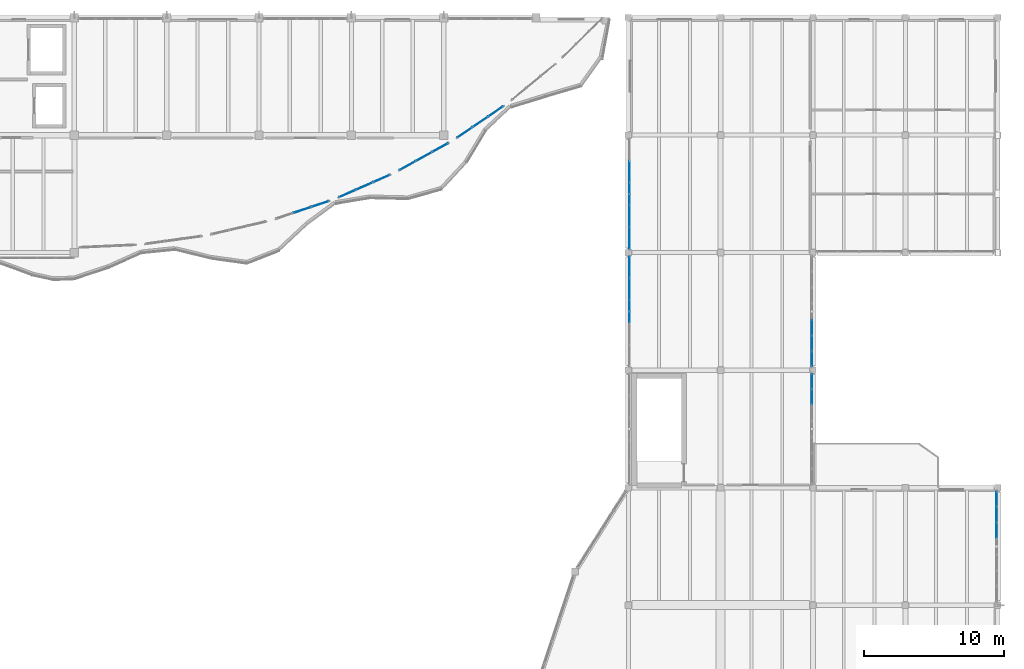
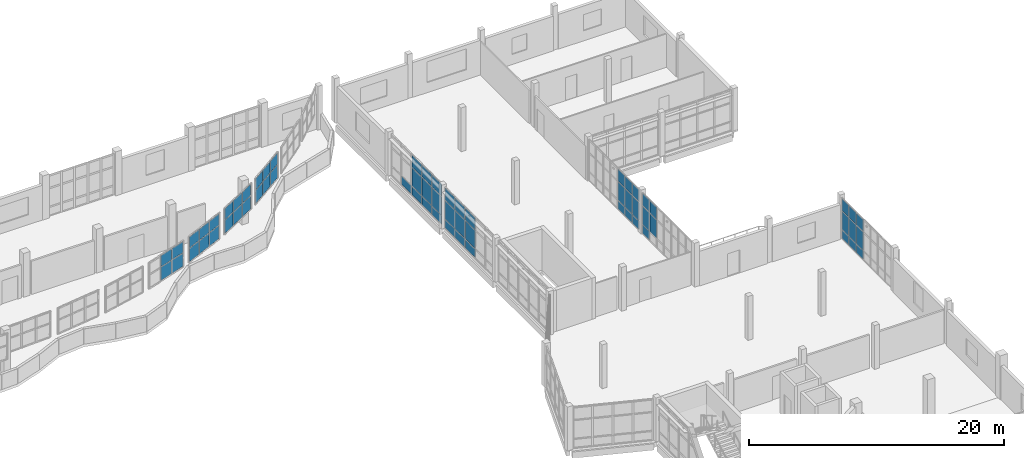
# One storey, part 41 of 74: 64 plates, 9 elements without a shape of their own.
"""IFC4 building model written with IfcOpenShell, lengths in metres."""

from ifc_helpers import new_model, si_unit, direction, frame, origin, origin_2d, place, context, subcontext, project, spatial, rectangle, extrude, material, layer, layer_set, type_object, element, aggregate, save


model = new_model("IFC4")

# Units and contexts
model_context = context("Model", 3, precision=1e-05, world=origin(), true_north=direction((0.0, 1.0)))
body_context = subcontext(model_context, "Body", "Model", "MODEL_VIEW")
ifc_project = project(units=[si_unit("LENGTHUNIT", "METRE"), si_unit("AREAUNIT", "SQUARE_METRE"), si_unit("VOLUMEUNIT", "CUBIC_METRE"), si_unit("PLANEANGLEUNIT", "RADIAN"), si_unit("MASSUNIT", "GRAM", prefix="KILO")], contexts=[model_context])

# Site, building, storey
site_placement = place(None, origin())
site = spatial("IfcSite", under=ifc_project, at=site_placement, CompositionType="ELEMENT")
building_placement = place(site_placement, origin())
building = spatial("IfcBuilding", under=site, at=building_placement, Name="Qaldarim Faculty of Natural and Applied Sciences", CompositionType="ELEMENT")
storey_placement = place(building_placement, frame((0.0, 0.0, 14.39990234375)))
storey = spatial("IfcBuildingStorey", under=building, at=storey_placement, Name="L03", CompositionType="ELEMENT", Elevation=14.39990234375)

# Curtain wall, plates
ifc_material_1 = material(Name="Anodised aluminium AW-6063", Category="aluminium")
curtain_wall_type_1 = type_object("IfcCurtainWallType", Name="CurtainWallSystem-M1200", PredefinedType="USERDEFINED", material=ifc_material_1)
curtain_wall_1_placement = place(storey_placement, origin())
curtain_wall_1 = element("IfcCurtainWall", 1, at=curtain_wall_1_placement, inside=storey, type_object=curtain_wall_type_1, Name="Curtain wall CW-L03-E-X25Y11", ObjectType="STICK CURTAIN WALL", PredefinedType="USERDEFINED")
ifc_material_2 = material(Name="Insulated low-e double glazing", Category="glass")
ifc_layer_1 = layer(ifc_material_2, 0.031982421875)
ifc_layer_set_1 = layer_set([ifc_layer_1], Name="Insulated low-e double glazing")
plate_type_1 = type_object("IfcPlateType", Name="SolarControlGlazingPanel-32", PredefinedType="CURTAIN_PANEL", material=ifc_layer_set_1)
plate_1_placement = place(storey_placement, frame((164.919921875, 90.474365234375, 0.93505859375), z_axis=(0.0, 0.0, 1.0), x_axis=(0.0, 1.0, 0.0)))
plate_1 = element("IfcPlate", 2, at=plate_1_placement, type_object=plate_type_1, Name="Glazed panel 6-2 of CW-L03-E-X25Y11", PredefinedType="CURTAIN_PANEL", context=body_context, shape_type="SweptSolid", body=[
    extrude(rectangle(XDim=1.067138671875, YDim=0.031982421875, at=origin_2d()), origin(), (0.0, 0.0, 1.0), 1.72998046875),
])
plate_2_placement = place(storey_placement, frame((164.919921875, 90.474365234375, 2.73486328125), z_axis=(0.0, 0.0, 1.0), x_axis=(0.0, 1.0, 0.0)))
plate_2 = element("IfcPlate", 3, at=plate_2_placement, type_object=plate_type_1, Name="Glazed panel 6-3 of CW-L03-E-X25Y11", PredefinedType="CURTAIN_PANEL", context=body_context, shape_type="SweptSolid", body=[
    extrude(rectangle(XDim=1.067138671875, YDim=0.031982421875, at=origin_2d()), origin(), (0.0, 0.0, 1.0), 1.135009765625),
])
plate_3_placement = place(storey_placement, frame((164.919921875, 91.593994140625, 0.070068359375), z_axis=(0.0, 0.0, 1.0), x_axis=(0.0, 1.0, 0.0)))
plate_3 = element("IfcPlate", 4, at=plate_3_placement, type_object=plate_type_1, Name="Glazed panel 7-1 of CW-L03-E-X25Y11", PredefinedType="CURTAIN_PANEL", context=body_context, shape_type="SweptSolid", body=[
    extrude(rectangle(XDim=1.031982421875, YDim=0.031982421875, at=origin_2d()), origin(), (0.0, 0.0, 1.0), 0.794921875),
])
plate_4_placement = place(storey_placement, frame((164.919921875, 91.593994140625, 0.93505859375), z_axis=(0.0, 0.0, 1.0), x_axis=(0.0, 1.0, 0.0)))
plate_4 = element("IfcPlate", 5, at=plate_4_placement, type_object=plate_type_1, Name="Glazed panel 7-2 of CW-L03-E-X25Y11", PredefinedType="CURTAIN_PANEL", context=body_context, shape_type="SweptSolid", body=[
    extrude(rectangle(XDim=1.031982421875, YDim=0.031982421875, at=origin_2d()), origin(), (0.0, 0.0, 1.0), 1.72998046875),
])
plate_5_placement = place(storey_placement, frame((164.919921875, 91.593994140625, 2.73486328125), z_axis=(0.0, 0.0, 1.0), x_axis=(0.0, 1.0, 0.0)))
plate_5 = element("IfcPlate", 6, at=plate_5_placement, type_object=plate_type_1, Name="Glazed panel 7-3 of CW-L03-E-X25Y11", PredefinedType="CURTAIN_PANEL", context=body_context, shape_type="SweptSolid", body=[
    extrude(rectangle(XDim=1.031982421875, YDim=0.031982421875, at=origin_2d()), origin(), (0.0, 0.0, 1.0), 1.135009765625),
])
aggregate(curtain_wall_1, [plate_1, plate_2, plate_3, plate_4, plate_5])

curtain_wall_2_placement = place(storey_placement, origin())
curtain_wall_2 = element("IfcCurtainWall", 7, at=curtain_wall_2_placement, inside=storey, type_object=curtain_wall_type_1, Name="Curtain wall CW-L03-E-X25Y12", ObjectType="STICK CURTAIN WALL", PredefinedType="USERDEFINED")
plate_6_placement = place(storey_placement, frame((164.919921875, 93.2060546875, 0.070068359375), z_axis=(0.0, 0.0, 1.0), x_axis=(0.0, 1.0, 0.0)))
plate_6 = element("IfcPlate", 8, at=plate_6_placement, type_object=plate_type_1, Name="Glazed panel 1-1 of CW-L03-E-X25Y12", PredefinedType="CURTAIN_PANEL", context=body_context, shape_type="SweptSolid", body=[
    extrude(rectangle(XDim=1.031982421875, YDim=0.031982421875, at=origin_2d()), origin(), (0.0, 0.0, 1.0), 0.794921875),
])
plate_7_placement = place(storey_placement, frame((164.919921875, 93.2060546875, 0.93505859375), z_axis=(0.0, 0.0, 1.0), x_axis=(0.0, 1.0, 0.0)))
plate_7 = element("IfcPlate", 9, at=plate_7_placement, type_object=plate_type_1, Name="Glazed panel 1-2 of CW-L03-E-X25Y12", PredefinedType="CURTAIN_PANEL", context=body_context, shape_type="SweptSolid", body=[
    extrude(rectangle(XDim=1.031982421875, YDim=0.031982421875, at=origin_2d()), origin(), (0.0, 0.0, 1.0), 1.72998046875),
])
plate_8_placement = place(storey_placement, frame((164.919921875, 93.2060546875, 2.73486328125), z_axis=(0.0, 0.0, 1.0), x_axis=(0.0, 1.0, 0.0)))
plate_8 = element("IfcPlate", 10, at=plate_8_placement, type_object=plate_type_1, Name="Glazed panel 1-3 of CW-L03-E-X25Y12", PredefinedType="CURTAIN_PANEL", context=body_context, shape_type="SweptSolid", body=[
    extrude(rectangle(XDim=1.031982421875, YDim=0.031982421875, at=origin_2d()), origin(), (0.0, 0.0, 1.0), 1.135009765625),
])
plate_9_placement = place(storey_placement, frame((164.919921875, 94.32568359375, 0.070068359375), z_axis=(0.0, 0.0, 1.0), x_axis=(0.0, 1.0, 0.0)))
plate_9 = element("IfcPlate", 11, at=plate_9_placement, type_object=plate_type_1, Name="Glazed panel 2-1 of CW-L03-E-X25Y12", PredefinedType="CURTAIN_PANEL", context=body_context, shape_type="SweptSolid", body=[
    extrude(rectangle(XDim=1.067138671875, YDim=0.031982421875, at=origin_2d()), origin(), (0.0, 0.0, 1.0), 0.794921875),
])
plate_10_placement = place(storey_placement, frame((164.919921875, 94.32568359375, 0.93505859375), z_axis=(0.0, 0.0, 1.0), x_axis=(0.0, 1.0, 0.0)))
plate_10 = element("IfcPlate", 12, at=plate_10_placement, type_object=plate_type_1, Name="Glazed panel 2-2 of CW-L03-E-X25Y12", PredefinedType="CURTAIN_PANEL", context=body_context, shape_type="SweptSolid", body=[
    extrude(rectangle(XDim=1.067138671875, YDim=0.031982421875, at=origin_2d()), origin(), (0.0, 0.0, 1.0), 1.72998046875),
])
plate_11_placement = place(storey_placement, frame((164.919921875, 94.32568359375, 2.73486328125), z_axis=(0.0, 0.0, 1.0), x_axis=(0.0, 1.0, 0.0)))
plate_11 = element("IfcPlate", 13, at=plate_11_placement, type_object=plate_type_1, Name="Glazed panel 2-3 of CW-L03-E-X25Y12", PredefinedType="CURTAIN_PANEL", context=body_context, shape_type="SweptSolid", body=[
    extrude(rectangle(XDim=1.067138671875, YDim=0.031982421875, at=origin_2d()), origin(), (0.0, 0.0, 1.0), 1.135009765625),
])
plate_12_placement = place(storey_placement, frame((164.919921875, 95.462890625, 0.070068359375), z_axis=(0.0, 0.0, 1.0), x_axis=(0.0, 1.0, 0.0)))
plate_12 = element("IfcPlate", 14, at=plate_12_placement, type_object=plate_type_1, Name="Glazed panel 3-1 of CW-L03-E-X25Y12", PredefinedType="CURTAIN_PANEL", context=body_context, shape_type="SweptSolid", body=[
    extrude(rectangle(XDim=1.067138671875, YDim=0.031982421875, at=origin_2d()), origin(), (0.0, 0.0, 1.0), 0.794921875),
])
plate_13_placement = place(storey_placement, frame((164.919921875, 95.462890625, 0.93505859375), z_axis=(0.0, 0.0, 1.0), x_axis=(0.0, 1.0, 0.0)))
plate_13 = element("IfcPlate", 15, at=plate_13_placement, type_object=plate_type_1, Name="Glazed panel 3-2 of CW-L03-E-X25Y12", PredefinedType="CURTAIN_PANEL", context=body_context, shape_type="SweptSolid", body=[
    extrude(rectangle(XDim=1.067138671875, YDim=0.031982421875, at=origin_2d()), origin(), (0.0, 0.0, 1.0), 1.72998046875),
])
plate_14_placement = place(storey_placement, frame((164.919921875, 95.462890625, 2.73486328125), z_axis=(0.0, 0.0, 1.0), x_axis=(0.0, 1.0, 0.0)))
plate_14 = element("IfcPlate", 16, at=plate_14_placement, type_object=plate_type_1, Name="Glazed panel 3-3 of CW-L03-E-X25Y12", PredefinedType="CURTAIN_PANEL", context=body_context, shape_type="SweptSolid", body=[
    extrude(rectangle(XDim=1.067138671875, YDim=0.031982421875, at=origin_2d()), origin(), (0.0, 0.0, 1.0), 1.135009765625),
])
aggregate(curtain_wall_2, [plate_6, plate_7, plate_8, plate_9, plate_10, plate_11, plate_12, plate_13, plate_14])

curtain_wall_3_placement = place(storey_placement, origin())
curtain_wall_3 = element("IfcCurtainWall", 17, at=curtain_wall_3_placement, inside=storey, type_object=curtain_wall_type_1, Name="Curtain wall CW-L03-E-X27Y10", ObjectType="STICK CURTAIN WALL", PredefinedType="USERDEFINED")
plate_15_placement = place(storey_placement, frame((178.1201171875, 80.93701171875, 0.070068359375), z_axis=(0.0, 0.0, 1.0), x_axis=(0.0, 1.0, 0.0)))
plate_15 = element("IfcPlate", 18, at=plate_15_placement, type_object=plate_type_1, Name="Glazed panel 5-1 of CW-L03-E-X27Y10", PredefinedType="CURTAIN_PANEL", context=body_context, shape_type="SweptSolid", body=[
    extrude(rectangle(XDim=1.067138671875, YDim=0.031982421875, at=origin_2d()), origin(), (0.0, 0.0, 1.0), 0.794921875),
])
plate_16_placement = place(storey_placement, frame((178.1201171875, 80.93701171875, 0.93505859375), z_axis=(0.0, 0.0, 1.0), x_axis=(0.0, 1.0, 0.0)))
plate_16 = element("IfcPlate", 19, at=plate_16_placement, type_object=plate_type_1, Name="Glazed panel 5-2 of CW-L03-E-X27Y10", PredefinedType="CURTAIN_PANEL", context=body_context, shape_type="SweptSolid", body=[
    extrude(rectangle(XDim=1.067138671875, YDim=0.031982421875, at=origin_2d()), origin(), (0.0, 0.0, 1.0), 1.72998046875),
])
plate_17_placement = place(storey_placement, frame((178.1201171875, 80.93701171875, 2.73486328125), z_axis=(0.0, 0.0, 1.0), x_axis=(0.0, 1.0, 0.0)))
plate_17 = element("IfcPlate", 20, at=plate_17_placement, type_object=plate_type_1, Name="Glazed panel 5-3 of CW-L03-E-X27Y10", PredefinedType="CURTAIN_PANEL", context=body_context, shape_type="SweptSolid", body=[
    extrude(rectangle(XDim=1.067138671875, YDim=0.031982421875, at=origin_2d()), origin(), (0.0, 0.0, 1.0), 1.135009765625),
])
plate_18_placement = place(storey_placement, frame((178.1201171875, 82.07421875, 0.070068359375), z_axis=(0.0, 0.0, 1.0), x_axis=(0.0, 1.0, 0.0)))
plate_18 = element("IfcPlate", 21, at=plate_18_placement, type_object=plate_type_1, Name="Glazed panel 6-1 of CW-L03-E-X27Y10", PredefinedType="CURTAIN_PANEL", context=body_context, shape_type="SweptSolid", body=[
    extrude(rectangle(XDim=1.067138671875, YDim=0.031982421875, at=origin_2d()), origin(), (0.0, 0.0, 1.0), 0.794921875),
])
plate_19_placement = place(storey_placement, frame((178.1201171875, 82.07421875, 0.93505859375), z_axis=(0.0, 0.0, 1.0), x_axis=(0.0, 1.0, 0.0)))
plate_19 = element("IfcPlate", 22, at=plate_19_placement, type_object=plate_type_1, Name="Glazed panel 6-2 of CW-L03-E-X27Y10", PredefinedType="CURTAIN_PANEL", context=body_context, shape_type="SweptSolid", body=[
    extrude(rectangle(XDim=1.067138671875, YDim=0.031982421875, at=origin_2d()), origin(), (0.0, 0.0, 1.0), 1.72998046875),
])
plate_20_placement = place(storey_placement, frame((178.1201171875, 82.07421875, 2.73486328125), z_axis=(0.0, 0.0, 1.0), x_axis=(0.0, 1.0, 0.0)))
plate_20 = element("IfcPlate", 23, at=plate_20_placement, type_object=plate_type_1, Name="Glazed panel 6-3 of CW-L03-E-X27Y10", PredefinedType="CURTAIN_PANEL", context=body_context, shape_type="SweptSolid", body=[
    extrude(rectangle(XDim=1.067138671875, YDim=0.031982421875, at=origin_2d()), origin(), (0.0, 0.0, 1.0), 1.135009765625),
])
plate_21_placement = place(storey_placement, frame((178.1201171875, 83.19384765625, 0.070068359375), z_axis=(0.0, 0.0, 1.0), x_axis=(0.0, 1.0, 0.0)))
plate_21 = element("IfcPlate", 24, at=plate_21_placement, type_object=plate_type_1, Name="Glazed panel 7-1 of CW-L03-E-X27Y10", PredefinedType="CURTAIN_PANEL", context=body_context, shape_type="SweptSolid", body=[
    extrude(rectangle(XDim=1.031982421875, YDim=0.031982421875, at=origin_2d()), origin(), (0.0, 0.0, 1.0), 0.794921875),
])
plate_22_placement = place(storey_placement, frame((178.1201171875, 83.19384765625, 0.93505859375), z_axis=(0.0, 0.0, 1.0), x_axis=(0.0, 1.0, 0.0)))
plate_22 = element("IfcPlate", 25, at=plate_22_placement, type_object=plate_type_1, Name="Glazed panel 7-2 of CW-L03-E-X27Y10", PredefinedType="CURTAIN_PANEL", context=body_context, shape_type="SweptSolid", body=[
    extrude(rectangle(XDim=1.031982421875, YDim=0.031982421875, at=origin_2d()), origin(), (0.0, 0.0, 1.0), 1.72998046875),
])
plate_23_placement = place(storey_placement, frame((178.1201171875, 83.19384765625, 2.73486328125), z_axis=(0.0, 0.0, 1.0), x_axis=(0.0, 1.0, 0.0)))
plate_23 = element("IfcPlate", 26, at=plate_23_placement, type_object=plate_type_1, Name="Glazed panel 7-3 of CW-L03-E-X27Y10", PredefinedType="CURTAIN_PANEL", context=body_context, shape_type="SweptSolid", body=[
    extrude(rectangle(XDim=1.031982421875, YDim=0.031982421875, at=origin_2d()), origin(), (0.0, 0.0, 1.0), 1.135009765625),
])
aggregate(curtain_wall_3, [plate_15, plate_16, plate_17, plate_18, plate_19, plate_20, plate_21, plate_22, plate_23])

curtain_wall_type_2 = type_object("IfcCurtainWallType", Name="CurtainWallSystem-M1600", PredefinedType="USERDEFINED", material=ifc_material_1)
curtain_wall_4_placement = place(storey_placement, origin())
curtain_wall_4 = element("IfcCurtainWall", 27, at=curtain_wall_4_placement, inside=storey, type_object=curtain_wall_type_2, Name="Curtain wall CW-L03-W-X24Y12", ObjectType="UNITISED FACADE", PredefinedType="USERDEFINED")
ifc_layer_2 = layer(ifc_material_2, 0.028076171875)
ifc_layer_set_2 = layer_set([ifc_layer_2], Name="Insulated low-e double glazing")
plate_type_2 = type_object("IfcPlateType", Name="VisionGlazingPanel-28", PredefinedType="CURTAIN_PANEL", material=ifc_layer_set_2)
plate_24_placement = place(storey_placement, frame((151.8798828125, 99.76904296875, 0.06005859375), z_axis=(0.0, 0.0, 1.0), x_axis=(0.0, -1.0, 0.0)))
plate_24 = element("IfcPlate", 28, at=plate_24_placement, type_object=plate_type_2, Name="Glazed panel 1-1 of CW-L03-W-X24Y12", PredefinedType="CURTAIN_PANEL", context=body_context, shape_type="SweptSolid", body=[
    extrude(rectangle(XDim=1.501953125, YDim=0.028076171875, at=origin_2d()), origin(), (0.0, 0.0, 1.0), 0.81005859375),
])
plate_25_placement = place(storey_placement, frame((151.8798828125, 99.76904296875, 0.93017578125), z_axis=(0.0, 0.0, 1.0), x_axis=(0.0, -1.0, 0.0)))
plate_25 = element("IfcPlate", 29, at=plate_25_placement, type_object=plate_type_2, Name="Glazed panel 1-2 of CW-L03-W-X24Y12", PredefinedType="CURTAIN_PANEL", context=body_context, shape_type="SweptSolid", body=[
    extrude(rectangle(XDim=1.501953125, YDim=0.028076171875, at=origin_2d()), origin(), (0.0, 0.0, 1.0), 1.739990234375),
])
plate_26_placement = place(storey_placement, frame((151.8798828125, 99.76904296875, 2.730224609375), z_axis=(0.0, 0.0, 1.0), x_axis=(0.0, -1.0, 0.0)))
plate_26 = element("IfcPlate", 30, at=plate_26_placement, type_object=plate_type_2, Name="Glazed panel 1-3 of CW-L03-W-X24Y12", PredefinedType="CURTAIN_PANEL", context=body_context, shape_type="SweptSolid", body=[
    extrude(rectangle(XDim=1.501953125, YDim=0.028076171875, at=origin_2d()), origin(), (0.0, 0.0, 1.0), 1.14990234375),
])
plate_27_placement = place(storey_placement, frame((151.8798828125, 98.19189453125, 0.06005859375), z_axis=(0.0, 0.0, 1.0), x_axis=(0.0, -1.0, 0.0)))
plate_27 = element("IfcPlate", 31, at=plate_27_placement, type_object=plate_type_2, Name="Glazed panel 2-1 of CW-L03-W-X24Y12", PredefinedType="CURTAIN_PANEL", context=body_context, shape_type="SweptSolid", body=[
    extrude(rectangle(XDim=1.531982421875, YDim=0.028076171875, at=origin_2d()), origin(), (0.0, 0.0, 1.0), 0.81005859375),
])
plate_28_placement = place(storey_placement, frame((151.8798828125, 98.19189453125, 0.93017578125), z_axis=(0.0, 0.0, 1.0), x_axis=(0.0, -1.0, 0.0)))
plate_28 = element("IfcPlate", 32, at=plate_28_placement, type_object=plate_type_2, Name="Glazed panel 2-2 of CW-L03-W-X24Y12", PredefinedType="CURTAIN_PANEL", context=body_context, shape_type="SweptSolid", body=[
    extrude(rectangle(XDim=1.531982421875, YDim=0.028076171875, at=origin_2d()), origin(), (0.0, 0.0, 1.0), 1.739990234375),
])
plate_29_placement = place(storey_placement, frame((151.8798828125, 98.19189453125, 2.730224609375), z_axis=(0.0, 0.0, 1.0), x_axis=(0.0, -1.0, 0.0)))
plate_29 = element("IfcPlate", 33, at=plate_29_placement, type_object=plate_type_2, Name="Glazed panel 2-3 of CW-L03-W-X24Y12", PredefinedType="CURTAIN_PANEL", context=body_context, shape_type="SweptSolid", body=[
    extrude(rectangle(XDim=1.531982421875, YDim=0.028076171875, at=origin_2d()), origin(), (0.0, 0.0, 1.0), 1.14990234375),
])
plate_30_placement = place(storey_placement, frame((151.8798828125, 96.60009765625, 0.06005859375), z_axis=(0.0, 0.0, 1.0), x_axis=(0.0, -1.0, 0.0)))
plate_30 = element("IfcPlate", 34, at=plate_30_placement, type_object=plate_type_2, Name="Glazed panel 3-1 of CW-L03-W-X24Y12", PredefinedType="CURTAIN_PANEL", context=body_context, shape_type="SweptSolid", body=[
    extrude(rectangle(XDim=1.531982421875, YDim=0.028076171875, at=origin_2d()), origin(), (0.0, 0.0, 1.0), 0.81005859375),
])
plate_31_placement = place(storey_placement, frame((151.8798828125, 96.60009765625, 0.93017578125), z_axis=(0.0, 0.0, 1.0), x_axis=(0.0, -1.0, 0.0)))
plate_31 = element("IfcPlate", 35, at=plate_31_placement, type_object=plate_type_2, Name="Glazed panel 3-2 of CW-L03-W-X24Y12", PredefinedType="CURTAIN_PANEL", context=body_context, shape_type="SweptSolid", body=[
    extrude(rectangle(XDim=1.531982421875, YDim=0.028076171875, at=origin_2d()), origin(), (0.0, 0.0, 1.0), 1.739990234375),
])
plate_32_placement = place(storey_placement, frame((151.8798828125, 96.60009765625, 2.730224609375), z_axis=(0.0, 0.0, 1.0), x_axis=(0.0, -1.0, 0.0)))
plate_32 = element("IfcPlate", 36, at=plate_32_placement, type_object=plate_type_2, Name="Glazed panel 3-3 of CW-L03-W-X24Y12", PredefinedType="CURTAIN_PANEL", context=body_context, shape_type="SweptSolid", body=[
    extrude(rectangle(XDim=1.531982421875, YDim=0.028076171875, at=origin_2d()), origin(), (0.0, 0.0, 1.0), 1.14990234375),
])
aggregate(curtain_wall_4, [plate_24, plate_25, plate_26, plate_27, plate_28, plate_29, plate_30, plate_31, plate_32])

curtain_wall_5_placement = place(storey_placement, origin())
curtain_wall_5 = element("IfcCurtainWall", 37, at=curtain_wall_5_placement, inside=storey, type_object=curtain_wall_type_2, Name="Curtain wall CW-L03-W-X24Y13", ObjectType="UNITISED FACADE", PredefinedType="USERDEFINED")
plate_33_placement = place(storey_placement, frame((151.8798828125, 106.592041015625, 0.06005859375), z_axis=(0.0, 0.0, 1.0), x_axis=(0.0, -1.0, 0.0)))
plate_33 = element("IfcPlate", 38, at=plate_33_placement, type_object=plate_type_2, Name="Glazed panel 2-1 of CW-L03-W-X24Y13", PredefinedType="CURTAIN_PANEL", context=body_context, shape_type="SweptSolid", body=[
    extrude(rectangle(XDim=1.531982421875, YDim=0.028076171875, at=origin_2d()), origin(), (0.0, 0.0, 1.0), 0.81005859375),
])
plate_34_placement = place(storey_placement, frame((151.8798828125, 105.0, 0.06005859375), z_axis=(0.0, 0.0, 1.0), x_axis=(0.0, -1.0, 0.0)))
plate_34 = element("IfcPlate", 39, at=plate_34_placement, type_object=plate_type_2, Name="Glazed panel 3-1 of CW-L03-W-X24Y13", PredefinedType="CURTAIN_PANEL", context=body_context, shape_type="SweptSolid", body=[
    extrude(rectangle(XDim=1.531982421875, YDim=0.028076171875, at=origin_2d()), origin(), (0.0, 0.0, 1.0), 0.81005859375),
])
plate_35_placement = place(storey_placement, frame((151.8798828125, 105.0, 0.93017578125), z_axis=(0.0, 0.0, 1.0), x_axis=(0.0, -1.0, 0.0)))
plate_35 = element("IfcPlate", 40, at=plate_35_placement, type_object=plate_type_2, Name="Glazed panel 3-2 of CW-L03-W-X24Y13", PredefinedType="CURTAIN_PANEL", context=body_context, shape_type="SweptSolid", body=[
    extrude(rectangle(XDim=1.531982421875, YDim=0.028076171875, at=origin_2d()), origin(), (0.0, 0.0, 1.0), 1.739990234375),
])
plate_36_placement = place(storey_placement, frame((151.8798828125, 105.0, 2.730224609375), z_axis=(0.0, 0.0, 1.0), x_axis=(0.0, -1.0, 0.0)))
plate_36 = element("IfcPlate", 41, at=plate_36_placement, type_object=plate_type_2, Name="Glazed panel 3-3 of CW-L03-W-X24Y13", PredefinedType="CURTAIN_PANEL", context=body_context, shape_type="SweptSolid", body=[
    extrude(rectangle(XDim=1.531982421875, YDim=0.028076171875, at=origin_2d()), origin(), (0.0, 0.0, 1.0), 1.14990234375),
])
plate_37_placement = place(storey_placement, frame((151.8798828125, 103.407958984375, 0.06005859375), z_axis=(0.0, 0.0, 1.0), x_axis=(0.0, -1.0, 0.0)))
plate_37 = element("IfcPlate", 42, at=plate_37_placement, type_object=plate_type_2, Name="Glazed panel 4-1 of CW-L03-W-X24Y13", PredefinedType="CURTAIN_PANEL", context=body_context, shape_type="SweptSolid", body=[
    extrude(rectangle(XDim=1.531982421875, YDim=0.028076171875, at=origin_2d()), origin(), (0.0, 0.0, 1.0), 0.81005859375),
])
plate_38_placement = place(storey_placement, frame((151.8798828125, 103.407958984375, 0.93017578125), z_axis=(0.0, 0.0, 1.0), x_axis=(0.0, -1.0, 0.0)))
plate_38 = element("IfcPlate", 43, at=plate_38_placement, type_object=plate_type_2, Name="Glazed panel 4-2 of CW-L03-W-X24Y13", PredefinedType="CURTAIN_PANEL", context=body_context, shape_type="SweptSolid", body=[
    extrude(rectangle(XDim=1.531982421875, YDim=0.028076171875, at=origin_2d()), origin(), (0.0, 0.0, 1.0), 1.739990234375),
])
plate_39_placement = place(storey_placement, frame((151.8798828125, 103.407958984375, 2.730224609375), z_axis=(0.0, 0.0, 1.0), x_axis=(0.0, -1.0, 0.0)))
plate_39 = element("IfcPlate", 44, at=plate_39_placement, type_object=plate_type_2, Name="Glazed panel 4-3 of CW-L03-W-X24Y13", PredefinedType="CURTAIN_PANEL", context=body_context, shape_type="SweptSolid", body=[
    extrude(rectangle(XDim=1.531982421875, YDim=0.028076171875, at=origin_2d()), origin(), (0.0, 0.0, 1.0), 1.14990234375),
])
plate_40_placement = place(storey_placement, frame((151.8798828125, 101.8310546875, 0.06005859375), z_axis=(0.0, 0.0, 1.0), x_axis=(0.0, -1.0, 0.0)))
plate_40 = element("IfcPlate", 45, at=plate_40_placement, type_object=plate_type_2, Name="Glazed panel 5-1 of CW-L03-W-X24Y13", PredefinedType="CURTAIN_PANEL", context=body_context, shape_type="SweptSolid", body=[
    extrude(rectangle(XDim=1.501953125, YDim=0.028076171875, at=origin_2d()), origin(), (0.0, 0.0, 1.0), 0.81005859375),
])
plate_41_placement = place(storey_placement, frame((151.8798828125, 101.8310546875, 0.93017578125), z_axis=(0.0, 0.0, 1.0), x_axis=(0.0, -1.0, 0.0)))
plate_41 = element("IfcPlate", 46, at=plate_41_placement, type_object=plate_type_2, Name="Glazed panel 5-2 of CW-L03-W-X24Y13", PredefinedType="CURTAIN_PANEL", context=body_context, shape_type="SweptSolid", body=[
    extrude(rectangle(XDim=1.501953125, YDim=0.028076171875, at=origin_2d()), origin(), (0.0, 0.0, 1.0), 1.739990234375),
])
plate_42_placement = place(storey_placement, frame((151.8798828125, 101.8310546875, 2.730224609375), z_axis=(0.0, 0.0, 1.0), x_axis=(0.0, -1.0, 0.0)))
plate_42 = element("IfcPlate", 47, at=plate_42_placement, type_object=plate_type_2, Name="Glazed panel 5-3 of CW-L03-W-X24Y13", PredefinedType="CURTAIN_PANEL", context=body_context, shape_type="SweptSolid", body=[
    extrude(rectangle(XDim=1.501953125, YDim=0.028076171875, at=origin_2d()), origin(), (0.0, 0.0, 1.0), 1.14990234375),
])
aggregate(curtain_wall_5, [plate_33, plate_34, plate_35, plate_36, plate_37, plate_38, plate_39, plate_40, plate_41, plate_42])

curtain_wall_type_3 = type_object("IfcCurtainWallType", Name="CurtainWallSystem-M1400", PredefinedType="USERDEFINED", material=ifc_material_1)
curtain_wall_6_placement = place(storey_placement, origin())
curtain_wall_6 = element("IfcCurtainWall", 48, at=curtain_wall_6_placement, inside=storey, type_object=curtain_wall_type_3, Name="Curtain wall CW-V4ARC-L03-06", ObjectType="STICK CURTAIN WALL", PredefinedType="USERDEFINED")
plate_43_placement = place(storey_placement, frame((128.512451171875, 103.85009765625, 1.51025390625), z_axis=(0.0, 0.0, 1.0), x_axis=(0.94856152259, 0.316592858196, 0.0)))
plate_43 = element("IfcPlate", 49, at=plate_43_placement, type_object=plate_type_2, Name="Glazed panel 2-1 of CW-V4ARC-L03-06", PredefinedType="CURTAIN_PANEL", context=body_context, shape_type="SweptSolid", body=[
    extrude(rectangle(XDim=1.28759765625, YDim=0.028076171875, at=origin_2d()), origin(), (0.0, 0.0, 1.0), 1.260009765625),
])
plate_44_placement = place(storey_placement, frame((128.512451171875, 103.85009765625, 2.830078125), z_axis=(0.0, 0.0, 1.0), x_axis=(0.94856152259, 0.316592858196, 0.0)))
plate_44 = element("IfcPlate", 50, at=plate_44_placement, type_object=plate_type_2, Name="Glazed panel 2-2 of CW-V4ARC-L03-06", PredefinedType="CURTAIN_PANEL", context=body_context, shape_type="SweptSolid", body=[
    extrude(rectangle(XDim=1.28759765625, YDim=0.028076171875, at=origin_2d()), origin(), (0.0, 0.0, 1.0), 1.050048828125),
])
plate_45_placement = place(storey_placement, frame((129.776611328125, 104.27197265625, 1.51025390625), z_axis=(0.0, 0.0, 1.0), x_axis=(0.94856152259, 0.316592858196, 0.0)))
plate_45 = element("IfcPlate", 51, at=plate_45_placement, type_object=plate_type_2, Name="Glazed panel 3-1 of CW-V4ARC-L03-06", PredefinedType="CURTAIN_PANEL", context=body_context, shape_type="SweptSolid", body=[
    extrude(rectangle(XDim=1.2578125, YDim=0.028076171875, at=origin_2d()), origin(), (0.0, 0.0, 1.0), 1.260009765625),
])
plate_46_placement = place(storey_placement, frame((129.776611328125, 104.27197265625, 2.830078125), z_axis=(0.0, 0.0, 1.0), x_axis=(0.94856152259, 0.316592858196, 0.0)))
plate_46 = element("IfcPlate", 52, at=plate_46_placement, type_object=plate_type_2, Name="Glazed panel 3-2 of CW-V4ARC-L03-06", PredefinedType="CURTAIN_PANEL", context=body_context, shape_type="SweptSolid", body=[
    extrude(rectangle(XDim=1.2578125, YDim=0.028076171875, at=origin_2d()), origin(), (0.0, 0.0, 1.0), 1.050048828125),
])
aggregate(curtain_wall_6, [plate_43, plate_44, plate_45, plate_46])

curtain_wall_7_placement = place(storey_placement, origin())
curtain_wall_7 = element("IfcCurtainWall", 53, at=curtain_wall_7_placement, inside=storey, type_object=curtain_wall_type_3, Name="Curtain wall CW-V4ARC-L03-08", ObjectType="STICK CURTAIN WALL", PredefinedType="USERDEFINED")
plate_47_placement = place(storey_placement, frame((131.71630859375, 105.017578125, 1.51025390625), z_axis=(0.0, 0.0, 1.0), x_axis=(0.915332565632, 0.40269876371, 0.0)))
plate_47 = element("IfcPlate", 54, at=plate_47_placement, type_object=plate_type_2, Name="Glazed panel 1-1 of CW-V4ARC-L03-08", PredefinedType="CURTAIN_PANEL", context=body_context, shape_type="SweptSolid", body=[
    extrude(rectangle(XDim=1.25927734375, YDim=0.028076171875, at=origin_2d()), origin(), (0.0, 0.0, 1.0), 1.260009765625),
])
plate_48_placement = place(storey_placement, frame((131.71630859375, 105.017578125, 2.830078125), z_axis=(0.0, 0.0, 1.0), x_axis=(0.915332565632, 0.40269876371, 0.0)))
plate_48 = element("IfcPlate", 55, at=plate_48_placement, type_object=plate_type_2, Name="Glazed panel 1-2 of CW-V4ARC-L03-08", PredefinedType="CURTAIN_PANEL", context=body_context, shape_type="SweptSolid", body=[
    extrude(rectangle(XDim=1.25927734375, YDim=0.028076171875, at=origin_2d()), origin(), (0.0, 0.0, 1.0), 1.050048828125),
])
plate_49_placement = place(storey_placement, frame((132.9375, 105.554931640625, 1.51025390625), z_axis=(0.0, 0.0, 1.0), x_axis=(0.915332565632, 0.40269876371, 0.0)))
plate_49 = element("IfcPlate", 56, at=plate_49_placement, type_object=plate_type_2, Name="Glazed panel 2-1 of CW-V4ARC-L03-08", PredefinedType="CURTAIN_PANEL", context=body_context, shape_type="SweptSolid", body=[
    extrude(rectangle(XDim=1.289306640625, YDim=0.028076171875, at=origin_2d()), origin(), (0.0, 0.0, 1.0), 1.260009765625),
])
plate_50_placement = place(storey_placement, frame((132.9375, 105.554931640625, 2.830078125), z_axis=(0.0, 0.0, 1.0), x_axis=(0.915332565632, 0.40269876371, 0.0)))
plate_50 = element("IfcPlate", 57, at=plate_50_placement, type_object=plate_type_2, Name="Glazed panel 2-2 of CW-V4ARC-L03-08", PredefinedType="CURTAIN_PANEL", context=body_context, shape_type="SweptSolid", body=[
    extrude(rectangle(XDim=1.289306640625, YDim=0.028076171875, at=origin_2d()), origin(), (0.0, 0.0, 1.0), 1.050048828125),
])
plate_51_placement = place(storey_placement, frame((134.15869140625, 106.09228515625, 1.51025390625), z_axis=(0.0, 0.0, 1.0), x_axis=(0.915332565632, 0.40269876371, 0.0)))
plate_51 = element("IfcPlate", 58, at=plate_51_placement, type_object=plate_type_2, Name="Glazed panel 3-1 of CW-V4ARC-L03-08", PredefinedType="CURTAIN_PANEL", context=body_context, shape_type="SweptSolid", body=[
    extrude(rectangle(XDim=1.25927734375, YDim=0.028076171875, at=origin_2d()), origin(), (0.0, 0.0, 1.0), 1.260009765625),
])
plate_52_placement = place(storey_placement, frame((134.15869140625, 106.09228515625, 2.830078125), z_axis=(0.0, 0.0, 1.0), x_axis=(0.915332565632, 0.40269876371, 0.0)))
plate_52 = element("IfcPlate", 59, at=plate_52_placement, type_object=plate_type_2, Name="Glazed panel 3-2 of CW-V4ARC-L03-08", PredefinedType="CURTAIN_PANEL", context=body_context, shape_type="SweptSolid", body=[
    extrude(rectangle(XDim=1.25927734375, YDim=0.028076171875, at=origin_2d()), origin(), (0.0, 0.0, 1.0), 1.050048828125),
])
aggregate(curtain_wall_7, [plate_47, plate_48, plate_49, plate_50, plate_51, plate_52])

curtain_wall_8_placement = place(storey_placement, origin())
curtain_wall_8 = element("IfcCurtainWall", 60, at=curtain_wall_8_placement, inside=storey, type_object=curtain_wall_type_3, Name="Curtain wall CW-V4ARC-L03-10", ObjectType="STICK CURTAIN WALL", PredefinedType="USERDEFINED")
plate_53_placement = place(storey_placement, frame((136.01806640625, 107.013916015625, 1.51025390625), z_axis=(0.0, 0.0, 1.0), x_axis=(0.874856525367, 0.484382142552, 0.0)))
plate_53 = element("IfcPlate", 61, at=plate_53_placement, type_object=plate_type_2, Name="Glazed panel 1-1 of CW-V4ARC-L03-10", PredefinedType="CURTAIN_PANEL", context=body_context, shape_type="SweptSolid", body=[
    extrude(rectangle(XDim=1.2587890625, YDim=0.028076171875, at=origin_2d()), origin(), (0.0, 0.0, 1.0), 1.260009765625),
])
plate_54_placement = place(storey_placement, frame((136.01806640625, 107.013916015625, 2.830078125), z_axis=(0.0, 0.0, 1.0), x_axis=(0.874856525367, 0.484382142552, 0.0)))
plate_54 = element("IfcPlate", 62, at=plate_54_placement, type_object=plate_type_2, Name="Glazed panel 1-2 of CW-V4ARC-L03-10", PredefinedType="CURTAIN_PANEL", context=body_context, shape_type="SweptSolid", body=[
    extrude(rectangle(XDim=1.2587890625, YDim=0.028076171875, at=origin_2d()), origin(), (0.0, 0.0, 1.0), 1.050048828125),
])
plate_55_placement = place(storey_placement, frame((137.18505859375, 107.659912109375, 1.51025390625), z_axis=(0.0, 0.0, 1.0), x_axis=(0.874856525367, 0.484382142552, 0.0)))
plate_55 = element("IfcPlate", 63, at=plate_55_placement, type_object=plate_type_2, Name="Glazed panel 2-1 of CW-V4ARC-L03-10", PredefinedType="CURTAIN_PANEL", context=body_context, shape_type="SweptSolid", body=[
    extrude(rectangle(XDim=1.288818359375, YDim=0.028076171875, at=origin_2d()), origin(), (0.0, 0.0, 1.0), 1.260009765625),
])
plate_56_placement = place(storey_placement, frame((137.18505859375, 107.659912109375, 2.830078125), z_axis=(0.0, 0.0, 1.0), x_axis=(0.874856525367, 0.484382142552, 0.0)))
plate_56 = element("IfcPlate", 64, at=plate_56_placement, type_object=plate_type_2, Name="Glazed panel 2-2 of CW-V4ARC-L03-10", PredefinedType="CURTAIN_PANEL", context=body_context, shape_type="SweptSolid", body=[
    extrude(rectangle(XDim=1.288818359375, YDim=0.028076171875, at=origin_2d()), origin(), (0.0, 0.0, 1.0), 1.050048828125),
])
plate_57_placement = place(storey_placement, frame((138.351806640625, 108.30615234375, 1.51025390625), z_axis=(0.0, 0.0, 1.0), x_axis=(0.874856525367, 0.484382142552, 0.0)))
plate_57 = element("IfcPlate", 65, at=plate_57_placement, type_object=plate_type_2, Name="Glazed panel 3-1 of CW-V4ARC-L03-10", PredefinedType="CURTAIN_PANEL", context=body_context, shape_type="SweptSolid", body=[
    extrude(rectangle(XDim=1.2587890625, YDim=0.028076171875, at=origin_2d()), origin(), (0.0, 0.0, 1.0), 1.260009765625),
])
plate_58_placement = place(storey_placement, frame((138.351806640625, 108.30615234375, 2.830078125), z_axis=(0.0, 0.0, 1.0), x_axis=(0.874856525367, 0.484382142552, 0.0)))
plate_58 = element("IfcPlate", 66, at=plate_58_placement, type_object=plate_type_2, Name="Glazed panel 3-2 of CW-V4ARC-L03-10", PredefinedType="CURTAIN_PANEL", context=body_context, shape_type="SweptSolid", body=[
    extrude(rectangle(XDim=1.2587890625, YDim=0.028076171875, at=origin_2d()), origin(), (0.0, 0.0, 1.0), 1.050048828125),
])
aggregate(curtain_wall_8, [plate_53, plate_54, plate_55, plate_56, plate_57, plate_58])

curtain_wall_9_placement = place(storey_placement, origin())
curtain_wall_9 = element("IfcCurtainWall", 67, at=curtain_wall_9_placement, inside=storey, type_object=curtain_wall_type_3, Name="Curtain wall CW-V4ARC-L03-12", ObjectType="STICK CURTAIN WALL", PredefinedType="USERDEFINED")
plate_59_placement = place(storey_placement, frame((140.119873046875, 109.392578125, 1.51025390625), z_axis=(0.0, 0.0, 1.0), x_axis=(0.826884319778, 0.562372049186, 0.0)))
plate_59 = element("IfcPlate", 68, at=plate_59_placement, type_object=plate_type_2, Name="Glazed panel 1-1 of CW-V4ARC-L03-12", PredefinedType="CURTAIN_PANEL", context=body_context, shape_type="SweptSolid", body=[
    extrude(rectangle(XDim=1.25830078125, YDim=0.028076171875, at=origin_2d()), origin(), (0.0, 0.0, 1.0), 1.260009765625),
])
plate_60_placement = place(storey_placement, frame((140.119873046875, 109.392578125, 2.830078125), z_axis=(0.0, 0.0, 1.0), x_axis=(0.826884319778, 0.562372049186, 0.0)))
plate_60 = element("IfcPlate", 69, at=plate_60_placement, type_object=plate_type_2, Name="Glazed panel 1-2 of CW-V4ARC-L03-12", PredefinedType="CURTAIN_PANEL", context=body_context, shape_type="SweptSolid", body=[
    extrude(rectangle(XDim=1.25830078125, YDim=0.028076171875, at=origin_2d()), origin(), (0.0, 0.0, 1.0), 1.050048828125),
])
plate_61_placement = place(storey_placement, frame((141.222412109375, 110.142578125, 1.51025390625), z_axis=(0.0, 0.0, 1.0), x_axis=(0.826884319778, 0.562372049186, 0.0)))
plate_61 = element("IfcPlate", 70, at=plate_61_placement, type_object=plate_type_2, Name="Glazed panel 2-1 of CW-V4ARC-L03-12", PredefinedType="CURTAIN_PANEL", context=body_context, shape_type="SweptSolid", body=[
    extrude(rectangle(XDim=1.288330078125, YDim=0.028076171875, at=origin_2d()), origin(), (0.0, 0.0, 1.0), 1.260009765625),
])
plate_62_placement = place(storey_placement, frame((141.222412109375, 110.142578125, 2.830078125), z_axis=(0.0, 0.0, 1.0), x_axis=(0.826884319778, 0.562372049186, 0.0)))
plate_62 = element("IfcPlate", 71, at=plate_62_placement, type_object=plate_type_2, Name="Glazed panel 2-2 of CW-V4ARC-L03-12", PredefinedType="CURTAIN_PANEL", context=body_context, shape_type="SweptSolid", body=[
    extrude(rectangle(XDim=1.288330078125, YDim=0.028076171875, at=origin_2d()), origin(), (0.0, 0.0, 1.0), 1.050048828125),
])
plate_63_placement = place(storey_placement, frame((142.3251953125, 110.892333984375, 1.51025390625), z_axis=(0.0, 0.0, 1.0), x_axis=(0.826884319778, 0.562372049186, 0.0)))
plate_63 = element("IfcPlate", 72, at=plate_63_placement, type_object=plate_type_2, Name="Glazed panel 3-1 of CW-V4ARC-L03-12", PredefinedType="CURTAIN_PANEL", context=body_context, shape_type="SweptSolid", body=[
    extrude(rectangle(XDim=1.25830078125, YDim=0.028076171875, at=origin_2d()), origin(), (0.0, 0.0, 1.0), 1.260009765625),
])
plate_64_placement = place(storey_placement, frame((142.3251953125, 110.892333984375, 2.830078125), z_axis=(0.0, 0.0, 1.0), x_axis=(0.826884319778, 0.562372049186, 0.0)))
plate_64 = element("IfcPlate", 73, at=plate_64_placement, type_object=plate_type_2, Name="Glazed panel 3-2 of CW-V4ARC-L03-12", PredefinedType="CURTAIN_PANEL", context=body_context, shape_type="SweptSolid", body=[
    extrude(rectangle(XDim=1.25830078125, YDim=0.028076171875, at=origin_2d()), origin(), (0.0, 0.0, 1.0), 1.050048828125),
])
aggregate(curtain_wall_9, [plate_59, plate_60, plate_61, plate_62, plate_63, plate_64])

save(model, "model.ifc")
